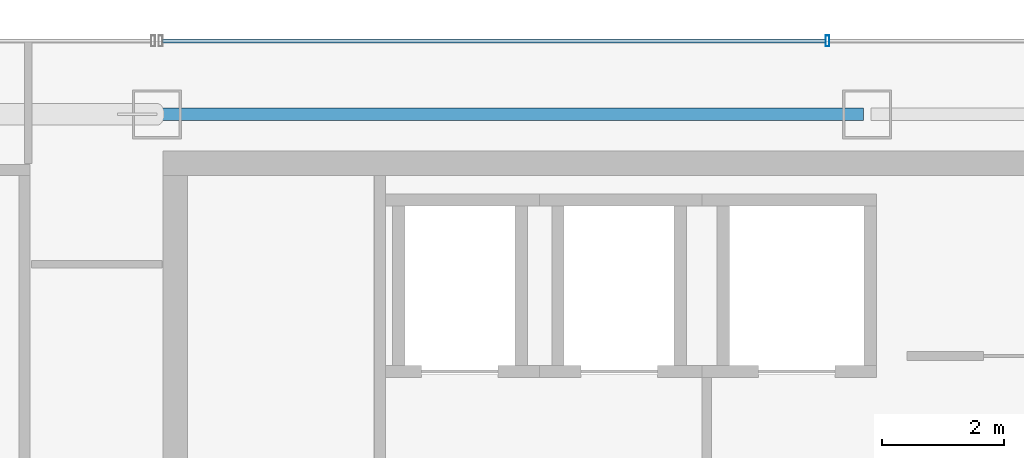
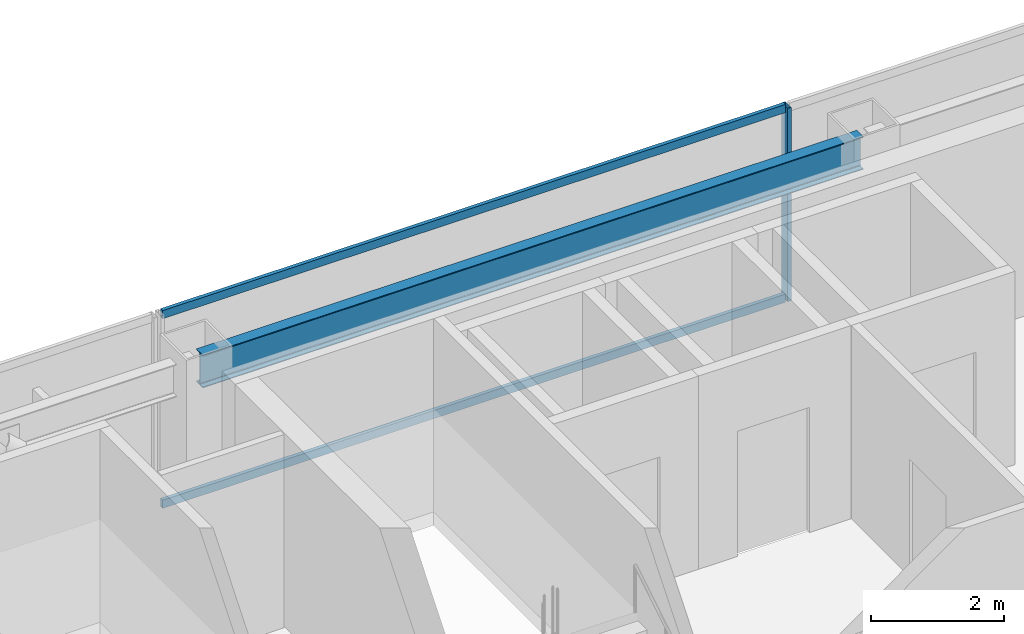
# One storey, part 20 of 32: 3 members, 1 beam, 1 element without a shape of its own.
"""IFC4 building model written with IfcOpenShell, lengths in metres."""

from ifc_helpers import new_model, si_unit, direction, frame, origin, origin_2d, place, context, subcontext, project, spatial, hollow_rectangle, i_section, extrude, material, material_profile, profile_set, type_object, element, aggregate, save


model = new_model("IFC4")

# Units and contexts
model_context = context("Model", 3, precision=1e-05, world=origin(), true_north=direction((0.0, 1.0)))
body_context = subcontext(model_context, "Body", "Model", "MODEL_VIEW")
ifc_project = project(units=[si_unit("LENGTHUNIT", "METRE"), si_unit("AREAUNIT", "SQUARE_METRE"), si_unit("VOLUMEUNIT", "CUBIC_METRE"), si_unit("PLANEANGLEUNIT", "RADIAN"), si_unit("MASSUNIT", "GRAM", prefix="KILO")], contexts=[model_context])

# Site, building, storey
site_placement = place(None, origin())
site = spatial("IfcSite", under=ifc_project, at=site_placement, CompositionType="ELEMENT")
building_placement = place(site_placement, origin())
building = spatial("IfcBuilding", under=site, at=building_placement, Name="Saevonmaru Cultural Tower", CompositionType="ELEMENT")
storey_placement = place(building_placement, frame((0.0, 0.0, 245.800048828125)))
storey = spatial("IfcBuildingStorey", under=building, at=storey_placement, Name="L57", CompositionType="ELEMENT", Elevation=245.800048828125)

# Beam
ifc_material_1 = material(Name="Steel SM355", Category="steel")
ifc_material_profile_1 = material_profile(ifc_material_1, i_section(OverallWidth=0.199951171875, OverallDepth=0.60009765625, WebThickness=0.010986328125, FlangeThickness=0.01708984375, FilletRadius=0.02197265625, at=origin_2d()), Name="H-600x200x11x17")
ifc_profile_set_1 = profile_set([ifc_material_profile_1], Name="Steel SM355")
beam_type = type_object("IfcBeamType", Name="BM-SP-H600", PredefinedType="SPANDREL", material=ifc_profile_set_1)
beam_placement = place(storey_placement, frame((13.659912109375, 54.800048828125, 3.25), z_axis=(1.0, 0.0, 0.0), x_axis=(0.0, 1.0, 0.0)))
element("IfcBeam", 1, at=beam_placement, inside=storey, type_object=beam_type, Name="L57 North Spine Girder 2", PredefinedType="SPANDREL", context=body_context, shape_type="SweptSolid", body=[
    extrude(i_section(OverallWidth=0.199951171875, OverallDepth=0.60009765625, WebThickness=0.010986328125, FlangeThickness=0.01708984375, FilletRadius=0.02197265625, at=origin_2d()), origin(), (0.0, 0.0, 1.0), 11.47998046875),
])

# Curtain wall, members
ifc_material_2 = material(Name="Satin Bronze Anodised Aluminium", Category="aluminium")
curtain_wall_type = type_object("IfcCurtainWallType", Name="CW-TYP-B", PredefinedType="NOTDEFINED", material=ifc_material_2)
curtain_wall_placement = place(storey_placement, origin())
curtain_wall = element("IfcCurtainWall", 2, at=curtain_wall_placement, inside=storey, type_object=curtain_wall_type, Name="L57 North Spine Unitised Curtain Wall E10B", PredefinedType="NOTDEFINED")
ifc_material_profile_2 = material_profile(ifc_material_2, hollow_rectangle(XDim=0.06494140625, YDim=0.179931640625, WallThickness=0.00390625, at=origin_2d()), Name="ALU-MULL-180x65x4")
ifc_profile_set_2 = profile_set([ifc_material_profile_2], Name="Satin Bronze Anodised Aluminium")
member_type_1 = type_object("IfcMemberType", Name="ML-CW-180x65", PredefinedType="MULLION", material=ifc_profile_set_2)
member_1_placement = place(storey_placement, frame((24.55322265625, 56.0, 0.0), z_axis=(0.0, 0.0, 1.0), x_axis=(-1.0, 0.0, 0.0)))
member_1 = element("IfcMember", 3, at=member_1_placement, type_object=member_type_1, Name="CW-TW-L57-E10B mullion 3", PredefinedType="MULLION", context=body_context, shape_type="SweptSolid", body=[
    extrude(hollow_rectangle(XDim=0.06494140625, YDim=0.179931640625, WallThickness=0.00390625, at=origin_2d()), origin(), (0.0, 0.0, 1.0), 3.550048828125),
])
ifc_material_profile_3 = material_profile(ifc_material_2, hollow_rectangle(XDim=0.06494140625, YDim=0.14990234375, WallThickness=0.00390625, at=origin_2d()), Name="ALU-TRAN-150x65x4")
ifc_profile_set_3 = profile_set([ifc_material_profile_3], Name="Satin Bronze Anodised Aluminium")
member_type_2 = type_object("IfcMemberType", Name="TR-CW-150x65", PredefinedType="USERDEFINED", material=ifc_profile_set_3)
member_2_placement = place(storey_placement, frame((24.520751953125, 56.0, 0.032470703125), z_axis=(-1.0, 0.0, 0.0), x_axis=(0.0, -1.0, 0.0)))
member_2 = element("IfcMember", 4, at=member_2_placement, type_object=member_type_2, Name="CW-TW-L57-E10B transom 3.1", ObjectType="TRANSOM", PredefinedType="USERDEFINED", context=body_context, shape_type="SweptSolid", body=[
    extrude(hollow_rectangle(XDim=0.06494140625, YDim=0.14990234375, WallThickness=0.00390625, at=origin_2d()), origin(), (0.0, 0.0, 1.0), 10.828369140625),
])
member_3_placement = place(storey_placement, frame((24.520751953125, 56.0, 3.517333984375), z_axis=(-1.0, 0.0, 0.0), x_axis=(0.0, -1.0, 0.0)))
member_3 = element("IfcMember", 5, at=member_3_placement, type_object=member_type_2, Name="CW-TW-L57-E10B transom 3.2", ObjectType="TRANSOM", PredefinedType="USERDEFINED", context=body_context, shape_type="SweptSolid", body=[
    extrude(hollow_rectangle(XDim=0.06494140625, YDim=0.14990234375, WallThickness=0.00390625, at=origin_2d()), origin(), (0.0, 0.0, 1.0), 10.828369140625),
])
aggregate(curtain_wall, [member_1, member_2, member_3])

save(model, "model.ifc")
